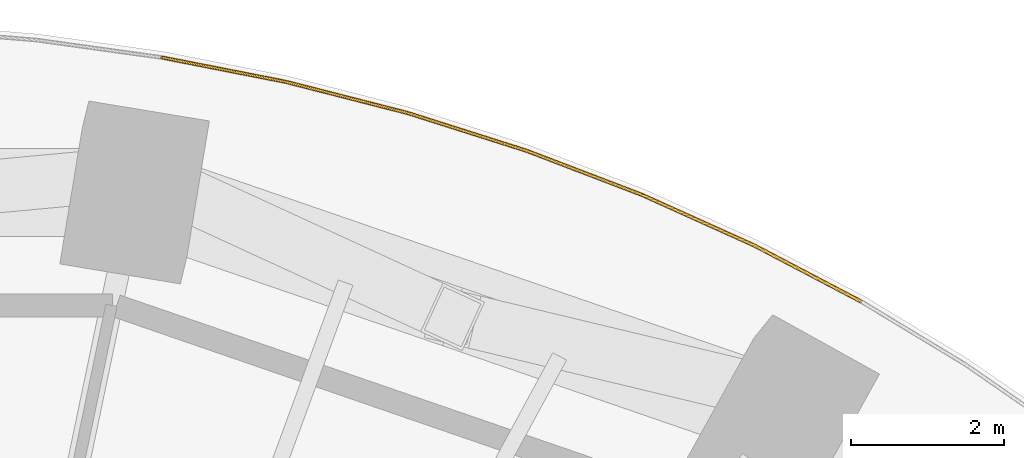
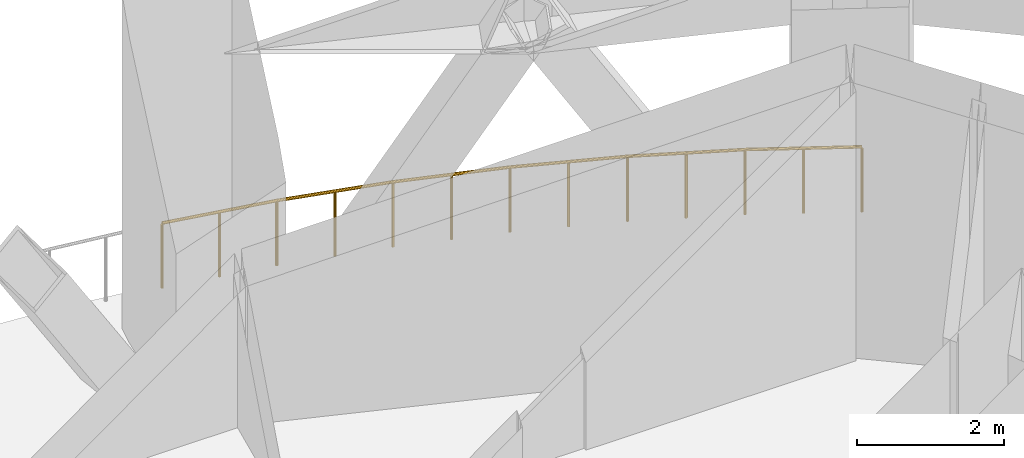
# One storey, part 9 of 9: 1 railing.
"""IFC4 building model written with IfcOpenShell, lengths in metres."""

from ifc_helpers import new_model, si_unit, direction, frame, origin, origin_2d, place, context, subcontext, project, spatial, circle, extrude, material, type_object, element, save


model = new_model("IFC4")

# Units and contexts
model_context = context("Model", 3, precision=1e-05, world=origin(), true_north=direction((0.0, 1.0)))
body_context = subcontext(model_context, "Body", "Model", "MODEL_VIEW")
ifc_project = project(units=[si_unit("LENGTHUNIT", "METRE"), si_unit("AREAUNIT", "SQUARE_METRE"), si_unit("VOLUMEUNIT", "CUBIC_METRE"), si_unit("PLANEANGLEUNIT", "RADIAN"), si_unit("MASSUNIT", "GRAM", prefix="KILO")], contexts=[model_context])

# Site, building, storey
site_placement = place(None, origin())
site = spatial("IfcSite", under=ifc_project, at=site_placement, CompositionType="ELEMENT")
building_placement = place(site_placement, origin())
building = spatial("IfcBuilding", under=site, at=building_placement, Name="Marenthal Gate Tower", CompositionType="ELEMENT")
storey_placement = place(building_placement, frame((0.0, 0.0, 407.550048828125)))
storey = spatial("IfcBuildingStorey", under=building, at=storey_placement, Name="L92", CompositionType="ELEMENT", Elevation=407.550048828125)

# Railing
ifc_material = material(Name="Stainless steel", Category="steel")
railing_type = type_object("IfcRailingType", Name="Balcony guard 1100", PredefinedType="GUARDRAIL", material=ifc_material)
railing_placement = place(storey_placement, frame((13.727783203125, 18.706787109375, 0.0)))
element("IfcRailing", 1, at=railing_placement, inside=storey, type_object=railing_type, Name="Refuge band guard L92 bay 3", PredefinedType="GUARDRAIL", context=body_context, shape_type="SweptSolid", body=[
    extrude(circle(Radius=0.02392578125, at=origin_2d()), frame((0.0, 0.0, 1.076171875), z_axis=(-0.885660731432, 0.464332928834, 0.0), x_axis=(-0.464332928834, -0.885660731432, 0.0)), (0.0, 0.0, 1.0), 1.59521484375),
    extrude(circle(Radius=0.02392578125, at=origin_2d()), frame((-1.412841796875, 0.74072265625, 1.076171875), z_axis=(-0.911665881279, 0.4109322583, 0.0), x_axis=(-0.4109322583, -0.911665881279, 0.0)), (0.0, 0.0, 1.0), 1.609375),
    extrude(circle(Radius=0.02392578125, at=origin_2d()), frame((-2.880126953125, 1.402099609375, 1.076171875), z_axis=(-0.934134484632, 0.356921230275, 0.0), x_axis=(-0.356921230275, -0.934134484632, 0.0)), (0.0, 0.0, 1.0), 1.62255859375),
    extrude(circle(Radius=0.02392578125, at=origin_2d()), frame((-4.395751953125, 1.981201171875, 1.076171875), z_axis=(-0.95317076895, 0.302432612691, 0.0), x_axis=(-0.302432612691, -0.95317076895, 0.0)), (0.0, 0.0, 1.0), 1.6337890625),
    extrude(circle(Radius=0.02392578125, at=origin_2d()), frame((-5.953125, 2.475341796875, 1.076171875), z_axis=(-0.968817632733, 0.247774886752, 0.0), x_axis=(-0.247774886752, -0.968817632733, 0.0)), (0.0, 0.0, 1.0), 1.6435546875),
    extrude(circle(Radius=0.02392578125, at=origin_2d()), frame((-7.54541015625, 2.882568359375, 1.076171875), z_axis=(-0.981223354781, 0.192874902544, 0.0), x_axis=(-0.192874902544, -0.981223354781, 0.0)), (0.0, 0.0, 1.0), 1.65185546875),
    extrude(circle(Radius=0.02099609375, at=origin_2d()), origin(), (0.0, 0.0, 1.0), 1.052001953125),
    extrude(circle(Radius=0.02099609375, at=origin_2d()), frame((-0.70654296875, 0.370361328125, 0.0)), (0.0, 0.0, 1.0), 1.052001953125),
    extrude(circle(Radius=0.02099609375, at=origin_2d()), frame((-1.412841796875, 0.74072265625, 0.0)), (0.0, 0.0, 1.0), 1.052001953125),
    extrude(circle(Radius=0.02099609375, at=origin_2d()), frame((-2.146484375, 1.0712890625, 0.0)), (0.0, 0.0, 1.0), 1.052001953125),
    extrude(circle(Radius=0.02099609375, at=origin_2d()), frame((-2.880126953125, 1.402099609375, 0.0)), (0.0, 0.0, 1.0), 1.052001953125),
    extrude(circle(Radius=0.02099609375, at=origin_2d()), frame((-3.637939453125, 1.691650390625, 0.0)), (0.0, 0.0, 1.0), 1.052001953125),
    extrude(circle(Radius=0.02099609375, at=origin_2d()), frame((-4.395751953125, 1.981201171875, 0.0)), (0.0, 0.0, 1.0), 1.052001953125),
    extrude(circle(Radius=0.02099609375, at=origin_2d()), frame((-5.17431640625, 2.228271484375, 0.0)), (0.0, 0.0, 1.0), 1.052001953125),
    extrude(circle(Radius=0.02099609375, at=origin_2d()), frame((-5.953125, 2.475341796875, 0.0)), (0.0, 0.0, 1.0), 1.052001953125),
    extrude(circle(Radius=0.02099609375, at=origin_2d()), frame((-6.749267578125, 2.678955078125, 0.0)), (0.0, 0.0, 1.0), 1.052001953125),
    extrude(circle(Radius=0.02099609375, at=origin_2d()), frame((-7.54541015625, 2.882568359375, 0.0)), (0.0, 0.0, 1.0), 1.052001953125),
    extrude(circle(Radius=0.02099609375, at=origin_2d()), frame((-8.35595703125, 3.0419921875, 0.0)), (0.0, 0.0, 1.0), 1.052001953125),
    extrude(circle(Radius=0.02099609375, at=origin_2d()), frame((-9.166259765625, 3.201171875, 0.0)), (0.0, 0.0, 1.0), 1.052001953125),
])

save(model, "model.ifc")
